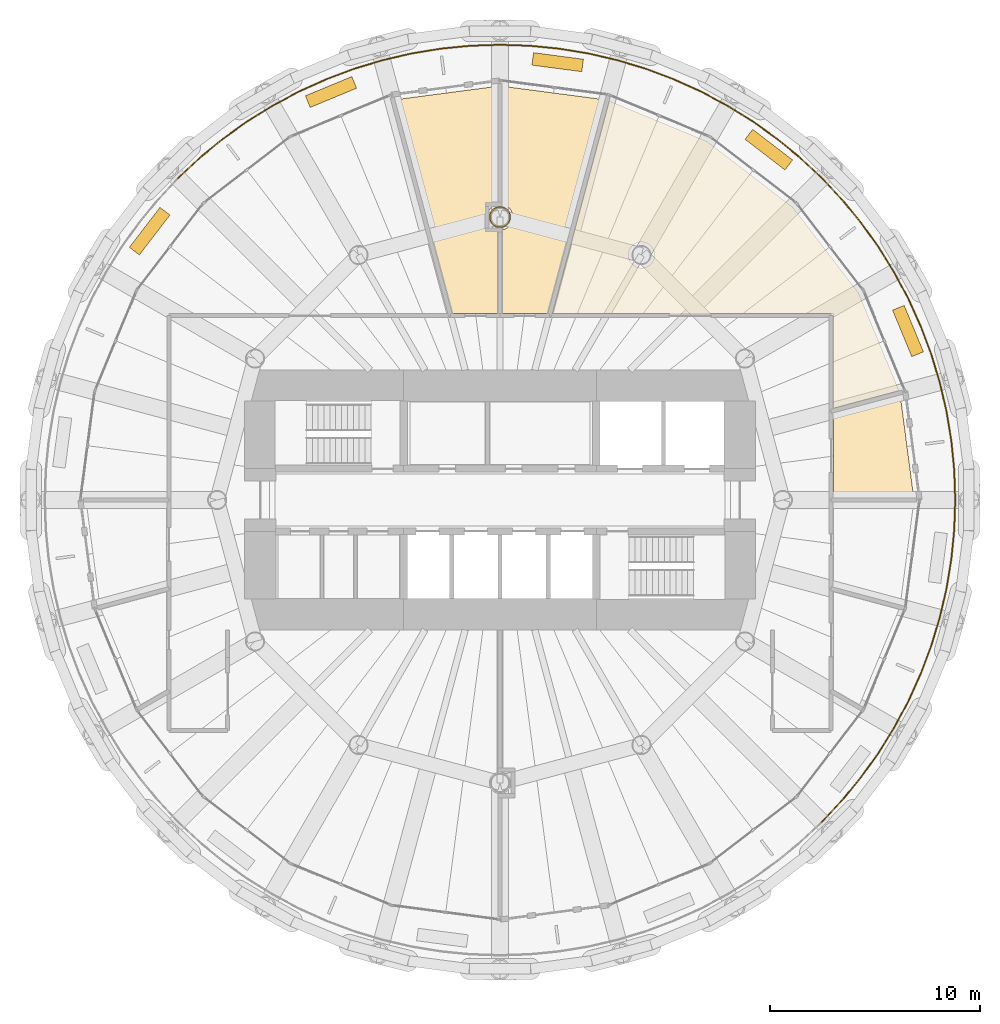
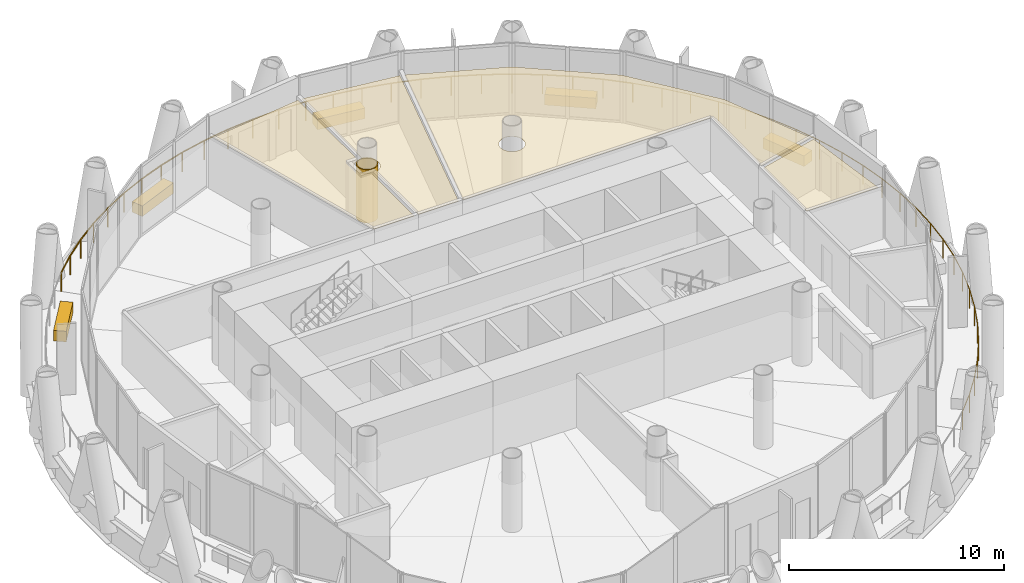
# One storey, part 14 of 14: 10 coverings, 2 railings.
"""IFC4 building model written with IfcOpenShell, lengths in metres."""

import ifcopenshell
import ifcopenshell.guid

model = None  # the IFC model being written
_history = None  # IfcOwnerHistory: only IFC2X3 demands one
_inside = {}  # id of a spatial element -> (the spatial element, [elements in it])
_under = {}  # id of a project, library or spatial element -> (it, [spatial elements below it])
_declared = {}  # id of a project -> (the project, [libraries it declares])
_typed = {}  # id of a type object -> (the type object, [elements of that type])
_made_of = {}  # id of a material, layer set ... -> (it, [elements and type objects made of it])


def new_model(schema):
    """Start an empty IFC model of exactly this schema.

    Asked for "IFC4X3", IfcOpenShell would pick the latest addendum, in which some entities
    have other attributes; the version numbers below select the first issue.
    IFC2X3 requires an IfcOwnerHistory on every rooted entity: one is made here for all.
    """
    global model, _history
    if schema == "IFC4X3":
        model = ifcopenshell.file(schema_version=(4, 3, 0, 0))
    else:
        model = ifcopenshell.file(schema=schema)
    _inside.clear()
    _under.clear()
    _declared.clear()
    _typed.clear()
    _made_of.clear()
    _history = None
    if model.schema == "IFC2X3":
        org = make("IfcOrganization", Name="unknown")
        user = make(
            "IfcPersonAndOrganization",
            ThePerson=make("IfcPerson", FamilyName="unknown"),
            TheOrganization=org,
        )
        app = make(
            "IfcApplication",
            ApplicationDeveloper=org,
            Version="unknown",
            ApplicationFullName="unknown",
            ApplicationIdentifier="unknown",
        )
        _history = make(
            "IfcOwnerHistory",
            OwningUser=user,
            OwningApplication=app,
            ChangeAction="ADDED",
            CreationDate=0,
        )
    return model


def make(cls, **values):
    """One entity of the class cls with the attributes given. An attribute that is None is left unset."""
    return model.create_entity(
        cls, **{name: value for name, value in values.items() if value is not None}
    )


def rooted(cls, **values):
    """An entity with a GlobalId (a new one), such as an element, a storey or a relation."""
    return make(cls, GlobalId=ifcopenshell.guid.new(), OwnerHistory=_history, **values)


def si_unit(unit_type, name, prefix=None):
    """IfcSIUnit, for example si_unit("LENGTHUNIT", "METRE", prefix="MILLI")."""
    return make("IfcSIUnit", UnitType=unit_type, Prefix=prefix, Name=name)


def assignment(units):
    """IfcUnitAssignment: the units of a project."""
    return None if units is None else make("IfcUnitAssignment", Units=units)


def point(xyz):
    """IfcCartesianPoint."""
    return None if xyz is None else make("IfcCartesianPoint", Coordinates=xyz)


def direction(xyz):
    """IfcDirection."""
    return None if xyz is None else make("IfcDirection", DirectionRatios=xyz)


def frame(location, z_axis=None, x_axis=None):
    """IfcAxis2Placement3D, a coordinate frame: its origin and axes. An axis left out is left unset."""
    return make(
        "IfcAxis2Placement3D",
        Location=point(location),
        Axis=direction(z_axis),
        RefDirection=direction(x_axis),
    )


def frame_2d(location, x_axis=None):
    """IfcAxis2Placement2D, a coordinate frame in the plane: its origin and x axis."""
    return make(
        "IfcAxis2Placement2D", Location=point(location), RefDirection=direction(x_axis)
    )


def origin():
    """The frame at (0, 0, 0) with its axes left unset."""
    return frame((0.0, 0.0, 0.0))


def origin_2d():
    """The frame at (0, 0) in the plane with its x axis left unset."""
    return frame_2d((0.0, 0.0))


def place(relative_to, where):
    """IfcLocalPlacement: puts the frame where relative to a parent placement (None: the world)."""
    return make(
        "IfcLocalPlacement", PlacementRelTo=relative_to, RelativePlacement=where
    )


def context(
    kind, dimensions, precision=None, world=None, true_north=None, identifier=None
):
    """IfcGeometricRepresentationContext, for example the 3D "Model" context."""
    return make(
        "IfcGeometricRepresentationContext",
        ContextIdentifier=identifier,
        ContextType=kind,
        CoordinateSpaceDimension=dimensions,
        Precision=precision,
        WorldCoordinateSystem=world,
        TrueNorth=true_north,
    )


def subcontext(parent, identifier, kind, view, scale=None):
    """IfcGeometricRepresentationSubContext, for example "Body" below "Model"."""
    return make(
        "IfcGeometricRepresentationSubContext",
        ContextIdentifier=identifier,
        ContextType=kind,
        ParentContext=parent,
        TargetScale=scale,
        TargetView=view,
    )


def project(units=None, contexts=None):
    """IfcProject with its units and contexts."""
    return rooted(
        "IfcProject",
        Name="project",
        RepresentationContexts=contexts,
        UnitsInContext=assignment(units),
    )


def spatial(cls, under=None, at=None, **own):
    """A site, building, storey or space (cls), placed at a placement, below another one or the project."""
    s = rooted(cls, ObjectPlacement=at, **own)
    if under is not None:
        _under.setdefault(under.id(), (under, []))[1].append(s)
    return s


def polyline(points):
    """IfcPolyline through the points."""
    return make("IfcPolyline", Points=[point(p) for p in points])


def profile(cls, at=None, kind="AREA", **sizes):
    """A parametric profile (cls). Its sizes go by their IFC names, for example OverallWidth=200.0."""
    return make(cls, ProfileType=kind, Position=at, **sizes)


def rectangle(**sizes):
    """IfcRectangleProfileDef."""
    return profile("IfcRectangleProfileDef", **sizes)


def circle(**sizes):
    """IfcCircleProfileDef."""
    return profile("IfcCircleProfileDef", **sizes)


def outline(outer, holes=None, kind="AREA"):
    """IfcArbitraryClosedProfileDef: a profile drawn as a closed curve; with holes, ...WithVoids."""
    if holes is None:
        return make("IfcArbitraryClosedProfileDef", ProfileType=kind, OuterCurve=outer)
    return make(
        "IfcArbitraryProfileDefWithVoids",
        ProfileType=kind,
        OuterCurve=outer,
        InnerCurves=holes,
    )


def extrude(swept, where, along, depth):
    """IfcExtrudedAreaSolid: the profile swept, set in the frame where, extruded along a direction by depth."""
    return make(
        "IfcExtrudedAreaSolid",
        SweptArea=swept,
        Position=where,
        ExtrudedDirection=direction(along),
        Depth=depth,
    )


def shape(context_of_items, identifier, shape_type, items):
    """IfcShapeRepresentation: the items that make up one representation, for example the "Body"."""
    return make(
        "IfcShapeRepresentation",
        ContextOfItems=context_of_items,
        RepresentationIdentifier=identifier,
        RepresentationType=shape_type,
        Items=items,
    )


def material(Name=None, Category=None):
    """IfcMaterial."""
    return make("IfcMaterial", Name=Name, Category=Category)


def layer(
    of_material, thickness, ventilated=None, Name=None, Category=None, Priority=None
):
    """IfcMaterialLayer: one layer of a wall or slab, of a material (None: an air gap)."""
    return make(
        "IfcMaterialLayer",
        Material=of_material,
        LayerThickness=thickness,
        IsVentilated=ventilated,
        Name=Name,
        Category=Category,
        Priority=Priority,
    )


def layer_set(layers, Name=None):
    """IfcMaterialLayerSet."""
    return make("IfcMaterialLayerSet", MaterialLayers=layers, LayerSetName=Name)


def made_of(thing, what):
    """Note that an element or type object is made of a material, layer set ...; save() writes the relation."""
    if what is not None:
        _made_of.setdefault(what.id(), (what, []))[1].append(thing)
    return thing


def type_object(cls, material=None, **own):
    """A type object (cls), such as IfcWallType, which elements share."""
    return made_of(rooted(cls, **own), material)


def element(
    cls,
    number,
    at=None,
    inside=None,
    cuts=None,
    type_object=None,
    material=None,
    context=None,
    identifier="Body",
    shape_type=None,
    held_by="IfcProductDefinitionShape",
    body=None,
    shapes=None,
    **own,
):
    """One element of the class cls, such as IfcWall. Its Tag is "e" and its number.

    at: its placement. inside: the storey or other place that contains it. cuts: it is an
    opening in that element (IfcRelVoidsElement). A single representation is given by context,
    identifier, shape_type and body (its items); several are given by shapes. held_by: the class
    of the entity that holds the representations. save() writes the other relations.
    """
    e = rooted(cls, Tag="e%d" % number, ObjectPlacement=at, **own)
    if body is not None:
        shapes = [shape(context, identifier, shape_type, body)]
    if shapes is not None:
        e.Representation = make(held_by, Representations=shapes)
    if inside is not None:
        _inside.setdefault(inside.id(), (inside, []))[1].append(e)
    if cuts is not None:
        rooted(
            "IfcRelVoidsElement", RelatingBuildingElement=cuts, RelatedOpeningElement=e
        )
    if type_object is not None:
        _typed.setdefault(type_object.id(), (type_object, []))[1].append(e)
    return made_of(e, material)


def aggregate(whole, parts):
    """IfcRelAggregates: a whole, such as a stair, and the parts it consists of."""
    return rooted("IfcRelAggregates", RelatingObject=whole, RelatedObjects=parts)


def save(model, path):
    """Write the relations noted so far, then the file.

    IfcRelAggregates (storeys below a building ...), IfcRelContainedInSpatialStructure (elements
    in a storey), IfcRelDefinesByType, IfcRelAssociatesMaterial and IfcRelDeclares: one each for
    every whole, place, type object, material and project.
    """
    for whole, parts in _under.values():
        aggregate(whole, parts)
    for where, things in _inside.values():
        rooted(
            "IfcRelContainedInSpatialStructure",
            RelatedElements=things,
            RelatingStructure=where,
        )
    for kind, things in _typed.values():
        rooted("IfcRelDefinesByType", RelatedObjects=things, RelatingType=kind)
    for what, things in _made_of.values():
        rooted("IfcRelAssociatesMaterial", RelatedObjects=things, RelatingMaterial=what)
    for by, libraries in _declared.values():
        rooted("IfcRelDeclares", RelatingContext=by, RelatedDefinitions=libraries)
    model.write(path)


model = new_model("IFC4")

# Units and contexts
model_context = context("Model", 3, precision=1e-05, world=origin(), true_north=direction((0.0, 1.0)))
body_context = subcontext(model_context, "Body", "Model", "MODEL_VIEW")
ifc_project = project(units=[si_unit("LENGTHUNIT", "METRE"), si_unit("AREAUNIT", "SQUARE_METRE"), si_unit("VOLUMEUNIT", "CUBIC_METRE"), si_unit("PLANEANGLEUNIT", "RADIAN"), si_unit("MASSUNIT", "GRAM", prefix="KILO")], contexts=[model_context])

# Site, building, storey
site_placement = place(None, origin())
site = spatial("IfcSite", under=ifc_project, at=site_placement, CompositionType="ELEMENT")
building_placement = place(site_placement, origin())
building = spatial("IfcBuilding", under=site, at=building_placement, Name="Qaws Media Tower", CompositionType="ELEMENT")
storey_placement = place(building_placement, frame((0.0, 0.0, 240.199951171875)))
storey = spatial("IfcBuildingStorey", under=building, at=storey_placement, Name="L55", CompositionType="ELEMENT", Elevation=240.199951171875)

# Railings
ifc_material_1 = material(Name="Stainless steel and glass guard", Category="steel")
railing_type = type_object("IfcRailingType", Name="Balcony guard 1100", PredefinedType="GUARDRAIL", material=ifc_material_1)
railing_1_placement = place(storey_placement, frame((75.36181640625, 65.36181640625, 0.0)))
element("IfcRailing", 1, at=railing_1_placement, inside=storey, type_object=railing_type, Name="GR1 balcony guard L55-1", PredefinedType="GUARDRAIL", context=body_context, shape_type="SweptSolid", body=[
    extrude(circle(Radius=0.02392578125, at=origin_2d()), frame((0.0, 0.0, 1.076171875), z_axis=(-0.729826320448, 0.683632607459, 0.0), x_axis=(-0.683632607459, -0.729826320448, 0.0)), (0.0, 0.0, 1.0), 1.421630859375),
    extrude(circle(Radius=0.02392578125, at=origin_2d()), frame((-1.03759765625, 0.971923828125, 1.076171875), z_axis=(-0.772999945781, 0.634406087473, 0.0), x_axis=(-0.634406087473, -0.772999945781, 0.0)), (0.0, 0.0, 1.0), 1.421630859375),
    extrude(circle(Radius=0.02392578125, at=origin_2d()), frame((-2.136474609375, 1.873779296875, 1.076171875), z_axis=(-0.81281577236, 0.58252083242, 0.0), x_axis=(-0.58252083242, -0.81281577236, 0.0)), (0.0, 0.0, 1.0), 1.421630859375),
    extrude(circle(Radius=0.02392578125, at=origin_2d()), frame((-3.2919921875, 2.701904296875, 1.076171875), z_axis=(-0.849202073908, 0.528068023715, 0.0), x_axis=(-0.528068023715, -0.849202073908, 0.0)), (0.0, 0.0, 1.0), 1.421630859375),
    extrude(circle(Radius=0.02392578125, at=origin_2d()), frame((-4.499267578125, 3.45263671875, 1.076171875), z_axis=(-0.881939053393, 0.471363454354, 0.0), x_axis=(-0.471363454354, -0.881939053393, 0.0)), (0.0, 0.0, 1.0), 1.421875),
    extrude(circle(Radius=0.02392578125, at=origin_2d()), frame((-5.753173828125, 4.122802734375, 1.076171875), z_axis=(-0.9108774549, 0.412676946479, 0.0), x_axis=(-0.412676946479, -0.9108774549, 0.0)), (0.0, 0.0, 1.0), 1.421630859375),
    extrude(circle(Radius=0.02392578125, at=origin_2d()), frame((-7.048095703125, 4.70947265625, 1.076171875), z_axis=(-0.935919216356, 0.352214736284, 0.0), x_axis=(-0.352214736284, -0.935919216356, 0.0)), (0.0, 0.0, 1.0), 1.421630859375),
    extrude(circle(Radius=0.02392578125, at=origin_2d()), frame((-8.378662109375, 5.210205078125, 1.076171875), z_axis=(-0.956952153131, 0.290245717658, 0.0), x_axis=(-0.290245717658, -0.956952153131, 0.0)), (0.0, 0.0, 1.0), 1.421630859375),
    extrude(circle(Radius=0.02392578125, at=origin_2d()), frame((-9.739013671875, 5.622802734375, 1.076171875), z_axis=(-0.973850075707, 0.227191615264, 0.0), x_axis=(-0.227191615264, -0.973850075707, 0.0)), (0.0, 0.0, 1.0), 1.421630859375),
    extrude(circle(Radius=0.02392578125, at=origin_2d()), frame((-11.12353515625, 5.94580078125, 1.076171875), z_axis=(-0.98665722181, 0.162811322241, 0.0), x_axis=(-0.162811322241, -0.98665722181, 0.0)), (0.0, 0.0, 1.0), 1.421630859375),
    extrude(circle(Radius=0.02392578125, at=origin_2d()), frame((-12.526123046875, 6.17724609375, 1.076171875), z_axis=(-0.995180666632, 0.098058353865, 0.0), x_axis=(-0.098058353865, -0.995180666632, 0.0)), (0.0, 0.0, 1.0), 1.421630859375),
    extrude(circle(Radius=0.02392578125, at=origin_2d()), frame((-13.94091796875, 6.316650390625, 1.076171875), z_axis=(-0.999461928317, 0.03280021105, 0.0), x_axis=(-0.03280021105, -0.999461928317, 0.0)), (0.0, 0.0, 1.0), 1.421630859375),
    extrude(circle(Radius=0.02392578125, at=origin_2d()), frame((-15.36181640625, 6.36328125, 1.076171875), z_axis=(-0.999461928317, -0.03280021105, 0.0), x_axis=(0.03280021105, -0.999461928317, 0.0)), (0.0, 0.0, 1.0), 1.421630859375),
    extrude(circle(Radius=0.02392578125, at=origin_2d()), frame((-16.78271484375, 6.316650390625, 1.076171875), z_axis=(-0.995180666632, -0.098058353865, 0.0), x_axis=(0.098058353865, -0.995180666632, 0.0)), (0.0, 0.0, 1.0), 1.421630859375),
    extrude(circle(Radius=0.02392578125, at=origin_2d()), frame((-18.197509765625, 6.17724609375, 1.076171875), z_axis=(-0.98665722181, -0.162811322241, 0.0), x_axis=(0.162811322241, -0.98665722181, 0.0)), (0.0, 0.0, 1.0), 1.421630859375),
    extrude(circle(Radius=0.02392578125, at=origin_2d()), frame((-19.60009765625, 5.94580078125, 1.076171875), z_axis=(-0.973850075707, -0.227191615264, 0.0), x_axis=(0.227191615264, -0.973850075707, 0.0)), (0.0, 0.0, 1.0), 1.421630859375),
    extrude(circle(Radius=0.02392578125, at=origin_2d()), frame((-20.984619140625, 5.622802734375, 1.076171875), z_axis=(-0.956952153131, -0.290245717658, 0.0), x_axis=(0.290245717658, -0.956952153131, 0.0)), (0.0, 0.0, 1.0), 1.421630859375),
    extrude(circle(Radius=0.02392578125, at=origin_2d()), frame((-22.344970703125, 5.210205078125, 1.076171875), z_axis=(-0.935919216356, -0.352214736284, 0.0), x_axis=(0.352214736284, -0.935919216356, 0.0)), (0.0, 0.0, 1.0), 1.421630859375),
    extrude(circle(Radius=0.02392578125, at=origin_2d()), frame((-23.675537109375, 4.70947265625, 1.076171875), z_axis=(-0.9108774549, -0.412676946479, 0.0), x_axis=(0.412676946479, -0.9108774549, 0.0)), (0.0, 0.0, 1.0), 1.421630859375),
    extrude(circle(Radius=0.02392578125, at=origin_2d()), frame((-24.970458984375, 4.122802734375, 1.076171875), z_axis=(-0.881939053393, -0.471363454354, 0.0), x_axis=(0.471363454354, -0.881939053393, 0.0)), (0.0, 0.0, 1.0), 1.421875),
    extrude(circle(Radius=0.02392578125, at=origin_2d()), frame((-26.224365234375, 3.45263671875, 1.076171875), z_axis=(-0.849202073908, -0.528068023715, 0.0), x_axis=(0.528068023715, -0.849202073908, 0.0)), (0.0, 0.0, 1.0), 1.421630859375),
    extrude(circle(Radius=0.02392578125, at=origin_2d()), frame((-27.431640625, 2.701904296875, 1.076171875), z_axis=(-0.81281577236, -0.58252083242, 0.0), x_axis=(0.58252083242, -0.81281577236, 0.0)), (0.0, 0.0, 1.0), 1.421630859375),
    extrude(circle(Radius=0.02392578125, at=origin_2d()), frame((-28.587158203125, 1.873779296875, 1.076171875), z_axis=(-0.772999945781, -0.634406087473, 0.0), x_axis=(0.634406087473, -0.772999945781, 0.0)), (0.0, 0.0, 1.0), 1.421630859375),
    extrude(circle(Radius=0.02392578125, at=origin_2d()), frame((-29.68603515625, 0.971923828125, 1.076171875), z_axis=(-0.729826320448, -0.683632607459, 0.0), x_axis=(0.683632607459, -0.729826320448, 0.0)), (0.0, 0.0, 1.0), 1.421630859375),
    extrude(circle(Radius=0.02099609375, at=origin_2d()), origin(), (0.0, 0.0, 1.0), 1.052001953125),
    extrude(circle(Radius=0.02099609375, at=origin_2d()), frame((-1.03759765625, 0.971923828125, 0.0)), (0.0, 0.0, 1.0), 1.052001953125),
    extrude(circle(Radius=0.02099609375, at=origin_2d()), frame((-2.136474609375, 1.873779296875, 0.0)), (0.0, 0.0, 1.0), 1.052001953125),
    extrude(circle(Radius=0.02099609375, at=origin_2d()), frame((-3.2919921875, 2.701904296875, 0.0)), (0.0, 0.0, 1.0), 1.052001953125),
    extrude(circle(Radius=0.02099609375, at=origin_2d()), frame((-4.499267578125, 3.45263671875, 0.0)), (0.0, 0.0, 1.0), 1.052001953125),
    extrude(circle(Radius=0.02099609375, at=origin_2d()), frame((-5.753173828125, 4.122802734375, 0.0)), (0.0, 0.0, 1.0), 1.052001953125),
    extrude(circle(Radius=0.02099609375, at=origin_2d()), frame((-7.048095703125, 4.70947265625, 0.0)), (0.0, 0.0, 1.0), 1.052001953125),
    extrude(circle(Radius=0.02099609375, at=origin_2d()), frame((-8.378662109375, 5.210205078125, 0.0)), (0.0, 0.0, 1.0), 1.052001953125),
    extrude(circle(Radius=0.02099609375, at=origin_2d()), frame((-9.739013671875, 5.622802734375, 0.0)), (0.0, 0.0, 1.0), 1.052001953125),
    extrude(circle(Radius=0.02099609375, at=origin_2d()), frame((-11.12353515625, 5.94580078125, 0.0)), (0.0, 0.0, 1.0), 1.052001953125),
    extrude(circle(Radius=0.02099609375, at=origin_2d()), frame((-12.526123046875, 6.17724609375, 0.0)), (0.0, 0.0, 1.0), 1.052001953125),
    extrude(circle(Radius=0.02099609375, at=origin_2d()), frame((-13.94091796875, 6.316650390625, 0.0)), (0.0, 0.0, 1.0), 1.052001953125),
    extrude(circle(Radius=0.02099609375, at=origin_2d()), frame((-15.36181640625, 6.36328125, 0.0)), (0.0, 0.0, 1.0), 1.052001953125),
    extrude(circle(Radius=0.02099609375, at=origin_2d()), frame((-16.78271484375, 6.316650390625, 0.0)), (0.0, 0.0, 1.0), 1.052001953125),
    extrude(circle(Radius=0.02099609375, at=origin_2d()), frame((-18.197509765625, 6.17724609375, 0.0)), (0.0, 0.0, 1.0), 1.052001953125),
    extrude(circle(Radius=0.02099609375, at=origin_2d()), frame((-19.60009765625, 5.94580078125, 0.0)), (0.0, 0.0, 1.0), 1.052001953125),
    extrude(circle(Radius=0.02099609375, at=origin_2d()), frame((-20.984619140625, 5.622802734375, 0.0)), (0.0, 0.0, 1.0), 1.052001953125),
    extrude(circle(Radius=0.02099609375, at=origin_2d()), frame((-22.344970703125, 5.210205078125, 0.0)), (0.0, 0.0, 1.0), 1.052001953125),
    extrude(circle(Radius=0.02099609375, at=origin_2d()), frame((-23.675537109375, 4.70947265625, 0.0)), (0.0, 0.0, 1.0), 1.052001953125),
    extrude(circle(Radius=0.02099609375, at=origin_2d()), frame((-24.970458984375, 4.122802734375, 0.0)), (0.0, 0.0, 1.0), 1.052001953125),
    extrude(circle(Radius=0.02099609375, at=origin_2d()), frame((-26.224365234375, 3.45263671875, 0.0)), (0.0, 0.0, 1.0), 1.052001953125),
    extrude(circle(Radius=0.02099609375, at=origin_2d()), frame((-27.431640625, 2.701904296875, 0.0)), (0.0, 0.0, 1.0), 1.052001953125),
    extrude(circle(Radius=0.02099609375, at=origin_2d()), frame((-28.587158203125, 1.873779296875, 0.0)), (0.0, 0.0, 1.0), 1.052001953125),
    extrude(circle(Radius=0.02099609375, at=origin_2d()), frame((-29.68603515625, 0.971923828125, 0.0)), (0.0, 0.0, 1.0), 1.052001953125),
    extrude(circle(Radius=0.02099609375, at=origin_2d()), frame((-30.7236328125, 0.0, 0.0)), (0.0, 0.0, 1.0), 1.052001953125),
])
railing_2_placement = place(storey_placement, frame((75.36181640625, 34.63818359375, 0.0)))
element("IfcRailing", 2, at=railing_2_placement, inside=storey, type_object=railing_type, Name="GR1 balcony guard L55-4", PredefinedType="GUARDRAIL", context=body_context, shape_type="SweptSolid", body=[
    extrude(circle(Radius=0.02392578125, at=origin_2d()), frame((0.0, 0.0, 1.076171875), z_axis=(0.683632607459, 0.729826320448, 0.0), x_axis=(-0.729826320448, 0.683632607459, 0.0)), (0.0, 0.0, 1.0), 1.421630859375),
    extrude(circle(Radius=0.02392578125, at=origin_2d()), frame((0.971923828125, 1.03759765625, 1.076171875), z_axis=(0.634406087473, 0.772999945781, 0.0), x_axis=(-0.772999945781, 0.634406087473, 0.0)), (0.0, 0.0, 1.0), 1.421630859375),
    extrude(circle(Radius=0.02392578125, at=origin_2d()), frame((1.873779296875, 2.136474609375, 1.076171875), z_axis=(0.58252083242, 0.81281577236, 0.0), x_axis=(-0.81281577236, 0.58252083242, 0.0)), (0.0, 0.0, 1.0), 1.421630859375),
    extrude(circle(Radius=0.02392578125, at=origin_2d()), frame((2.701904296875, 3.2919921875, 1.076171875), z_axis=(0.528068023715, 0.849202073908, 0.0), x_axis=(-0.849202073908, 0.528068023715, 0.0)), (0.0, 0.0, 1.0), 1.421630859375),
    extrude(circle(Radius=0.02392578125, at=origin_2d()), frame((3.45263671875, 4.499267578125, 1.076171875), z_axis=(0.471363454354, 0.881939053393, 0.0), x_axis=(-0.881939053393, 0.471363454354, 0.0)), (0.0, 0.0, 1.0), 1.421875),
    extrude(circle(Radius=0.02392578125, at=origin_2d()), frame((4.122802734375, 5.753173828125, 1.076171875), z_axis=(0.412676946479, 0.9108774549, 0.0), x_axis=(-0.9108774549, 0.412676946479, 0.0)), (0.0, 0.0, 1.0), 1.421630859375),
    extrude(circle(Radius=0.02392578125, at=origin_2d()), frame((4.70947265625, 7.048095703125, 1.076171875), z_axis=(0.352214736284, 0.935919216356, 0.0), x_axis=(-0.935919216356, 0.352214736284, 0.0)), (0.0, 0.0, 1.0), 1.421630859375),
    extrude(circle(Radius=0.02392578125, at=origin_2d()), frame((5.210205078125, 8.378662109375, 1.076171875), z_axis=(0.290245717658, 0.956952153131, 0.0), x_axis=(-0.956952153131, 0.290245717658, 0.0)), (0.0, 0.0, 1.0), 1.421630859375),
    extrude(circle(Radius=0.02392578125, at=origin_2d()), frame((5.622802734375, 9.739013671875, 1.076171875), z_axis=(0.227191615264, 0.973850075707, 0.0), x_axis=(-0.973850075707, 0.227191615264, 0.0)), (0.0, 0.0, 1.0), 1.421630859375),
    extrude(circle(Radius=0.02392578125, at=origin_2d()), frame((5.94580078125, 11.12353515625, 1.076171875), z_axis=(0.162811322241, 0.98665722181, 0.0), x_axis=(-0.98665722181, 0.162811322241, 0.0)), (0.0, 0.0, 1.0), 1.421630859375),
    extrude(circle(Radius=0.02392578125, at=origin_2d()), frame((6.17724609375, 12.526123046875, 1.076171875), z_axis=(0.098058353865, 0.995180666632, 0.0), x_axis=(-0.995180666632, 0.098058353865, 0.0)), (0.0, 0.0, 1.0), 1.421630859375),
    extrude(circle(Radius=0.02392578125, at=origin_2d()), frame((6.316650390625, 13.94091796875, 1.076171875), z_axis=(0.03280021105, 0.999461928317, 0.0), x_axis=(-0.999461928317, 0.03280021105, 0.0)), (0.0, 0.0, 1.0), 1.421630859375),
    extrude(circle(Radius=0.02392578125, at=origin_2d()), frame((6.36328125, 15.36181640625, 1.076171875), z_axis=(-0.03280021105, 0.999461928317, 0.0), x_axis=(-0.999461928317, -0.03280021105, 0.0)), (0.0, 0.0, 1.0), 1.421630859375),
    extrude(circle(Radius=0.02392578125, at=origin_2d()), frame((6.316650390625, 16.78271484375, 1.076171875), z_axis=(-0.098058353865, 0.995180666632, 0.0), x_axis=(-0.995180666632, -0.098058353865, 0.0)), (0.0, 0.0, 1.0), 1.421630859375),
    extrude(circle(Radius=0.02392578125, at=origin_2d()), frame((6.17724609375, 18.197509765625, 1.076171875), z_axis=(-0.162811322241, 0.98665722181, 0.0), x_axis=(-0.98665722181, -0.162811322241, 0.0)), (0.0, 0.0, 1.0), 1.421630859375),
    extrude(circle(Radius=0.02392578125, at=origin_2d()), frame((5.94580078125, 19.60009765625, 1.076171875), z_axis=(-0.227191615264, 0.973850075707, 0.0), x_axis=(-0.973850075707, -0.227191615264, 0.0)), (0.0, 0.0, 1.0), 1.421630859375),
    extrude(circle(Radius=0.02392578125, at=origin_2d()), frame((5.622802734375, 20.984619140625, 1.076171875), z_axis=(-0.290245717658, 0.956952153131, 0.0), x_axis=(-0.956952153131, -0.290245717658, 0.0)), (0.0, 0.0, 1.0), 1.421630859375),
    extrude(circle(Radius=0.02392578125, at=origin_2d()), frame((5.210205078125, 22.344970703125, 1.076171875), z_axis=(-0.352214736284, 0.935919216356, 0.0), x_axis=(-0.935919216356, -0.352214736284, 0.0)), (0.0, 0.0, 1.0), 1.421630859375),
    extrude(circle(Radius=0.02392578125, at=origin_2d()), frame((4.70947265625, 23.675537109375, 1.076171875), z_axis=(-0.412676946479, 0.9108774549, 0.0), x_axis=(-0.9108774549, -0.412676946479, 0.0)), (0.0, 0.0, 1.0), 1.421630859375),
    extrude(circle(Radius=0.02392578125, at=origin_2d()), frame((4.122802734375, 24.970458984375, 1.076171875), z_axis=(-0.471363454354, 0.881939053393, 0.0), x_axis=(-0.881939053393, -0.471363454354, 0.0)), (0.0, 0.0, 1.0), 1.421875),
    extrude(circle(Radius=0.02392578125, at=origin_2d()), frame((3.45263671875, 26.224365234375, 1.076171875), z_axis=(-0.528068023715, 0.849202073908, 0.0), x_axis=(-0.849202073908, -0.528068023715, 0.0)), (0.0, 0.0, 1.0), 1.421630859375),
    extrude(circle(Radius=0.02392578125, at=origin_2d()), frame((2.701904296875, 27.431640625, 1.076171875), z_axis=(-0.58252083242, 0.81281577236, 0.0), x_axis=(-0.81281577236, -0.58252083242, 0.0)), (0.0, 0.0, 1.0), 1.421630859375),
    extrude(circle(Radius=0.02392578125, at=origin_2d()), frame((1.873779296875, 28.587158203125, 1.076171875), z_axis=(-0.634406087473, 0.772999945781, 0.0), x_axis=(-0.772999945781, -0.634406087473, 0.0)), (0.0, 0.0, 1.0), 1.421630859375),
    extrude(circle(Radius=0.02392578125, at=origin_2d()), frame((0.971923828125, 29.68603515625, 1.076171875), z_axis=(-0.683632607459, 0.729826320448, 0.0), x_axis=(-0.729826320448, -0.683632607459, 0.0)), (0.0, 0.0, 1.0), 1.421630859375),
    extrude(circle(Radius=0.02099609375, at=origin_2d()), origin(), (0.0, 0.0, 1.0), 1.052001953125),
    extrude(circle(Radius=0.02099609375, at=origin_2d()), frame((0.971923828125, 1.03759765625, 0.0)), (0.0, 0.0, 1.0), 1.052001953125),
    extrude(circle(Radius=0.02099609375, at=origin_2d()), frame((1.873779296875, 2.136474609375, 0.0)), (0.0, 0.0, 1.0), 1.052001953125),
    extrude(circle(Radius=0.02099609375, at=origin_2d()), frame((2.701904296875, 3.2919921875, 0.0)), (0.0, 0.0, 1.0), 1.052001953125),
    extrude(circle(Radius=0.02099609375, at=origin_2d()), frame((3.45263671875, 4.499267578125, 0.0)), (0.0, 0.0, 1.0), 1.052001953125),
    extrude(circle(Radius=0.02099609375, at=origin_2d()), frame((4.122802734375, 5.753173828125, 0.0)), (0.0, 0.0, 1.0), 1.052001953125),
    extrude(circle(Radius=0.02099609375, at=origin_2d()), frame((4.70947265625, 7.048095703125, 0.0)), (0.0, 0.0, 1.0), 1.052001953125),
    extrude(circle(Radius=0.02099609375, at=origin_2d()), frame((5.210205078125, 8.378662109375, 0.0)), (0.0, 0.0, 1.0), 1.052001953125),
    extrude(circle(Radius=0.02099609375, at=origin_2d()), frame((5.622802734375, 9.739013671875, 0.0)), (0.0, 0.0, 1.0), 1.052001953125),
    extrude(circle(Radius=0.02099609375, at=origin_2d()), frame((5.94580078125, 11.12353515625, 0.0)), (0.0, 0.0, 1.0), 1.052001953125),
    extrude(circle(Radius=0.02099609375, at=origin_2d()), frame((6.17724609375, 12.526123046875, 0.0)), (0.0, 0.0, 1.0), 1.052001953125),
    extrude(circle(Radius=0.02099609375, at=origin_2d()), frame((6.316650390625, 13.94091796875, 0.0)), (0.0, 0.0, 1.0), 1.052001953125),
    extrude(circle(Radius=0.02099609375, at=origin_2d()), frame((6.36328125, 15.36181640625, 0.0)), (0.0, 0.0, 1.0), 1.052001953125),
    extrude(circle(Radius=0.02099609375, at=origin_2d()), frame((6.316650390625, 16.78271484375, 0.0)), (0.0, 0.0, 1.0), 1.052001953125),
    extrude(circle(Radius=0.02099609375, at=origin_2d()), frame((6.17724609375, 18.197509765625, 0.0)), (0.0, 0.0, 1.0), 1.052001953125),
    extrude(circle(Radius=0.02099609375, at=origin_2d()), frame((5.94580078125, 19.60009765625, 0.0)), (0.0, 0.0, 1.0), 1.052001953125),
    extrude(circle(Radius=0.02099609375, at=origin_2d()), frame((5.622802734375, 20.984619140625, 0.0)), (0.0, 0.0, 1.0), 1.052001953125),
    extrude(circle(Radius=0.02099609375, at=origin_2d()), frame((5.210205078125, 22.344970703125, 0.0)), (0.0, 0.0, 1.0), 1.052001953125),
    extrude(circle(Radius=0.02099609375, at=origin_2d()), frame((4.70947265625, 23.675537109375, 0.0)), (0.0, 0.0, 1.0), 1.052001953125),
    extrude(circle(Radius=0.02099609375, at=origin_2d()), frame((4.122802734375, 24.970458984375, 0.0)), (0.0, 0.0, 1.0), 1.052001953125),
    extrude(circle(Radius=0.02099609375, at=origin_2d()), frame((3.45263671875, 26.224365234375, 0.0)), (0.0, 0.0, 1.0), 1.052001953125),
    extrude(circle(Radius=0.02099609375, at=origin_2d()), frame((2.701904296875, 27.431640625, 0.0)), (0.0, 0.0, 1.0), 1.052001953125),
    extrude(circle(Radius=0.02099609375, at=origin_2d()), frame((1.873779296875, 28.587158203125, 0.0)), (0.0, 0.0, 1.0), 1.052001953125),
    extrude(circle(Radius=0.02099609375, at=origin_2d()), frame((0.971923828125, 29.68603515625, 0.0)), (0.0, 0.0, 1.0), 1.052001953125),
    extrude(circle(Radius=0.02099609375, at=origin_2d()), frame((0.0, 30.7236328125, 0.0)), (0.0, 0.0, 1.0), 1.052001953125),
])

# Coverings
ifc_material_2 = material(Name="Two layers 15 fire-rated gypsum board on steel framing", Category="steel")
ifc_layer_1 = layer(ifc_material_2, 0.050048828125)
ifc_layer_set_1 = layer_set([ifc_layer_1], Name="Column fire casing")
covering_type_1 = type_object("IfcCoveringType", Name="Column fire casing", PredefinedType="CLADDING", material=ifc_layer_set_1)
covering_1_placement = place(storey_placement, origin())
element("IfcCovering", 3, at=covering_1_placement, inside=storey, type_object=covering_type_1, Name="CC1 column casing L55", PredefinedType="CLADDING", context=body_context, shape_type="SweptSolid", body=[
    extrude(outline(polyline([(60.511962890625, 63.5), (60.507568359375, 63.43310546875), (60.49462890625, 63.367431640625), (60.472900390625, 63.30419921875), (60.443359375, 63.243896484375), (60.40625, 63.188232421875), (60.362060546875, 63.137939453125), (60.311767578125, 63.09375), (60.256103515625, 63.056640625), (60.19580078125, 63.027099609375), (60.132568359375, 63.00537109375), (60.06689453125, 62.992431640625), (60.0, 62.988037109375), (59.93310546875, 62.992431640625), (59.867431640625, 63.00537109375), (59.80419921875, 63.027099609375), (59.743896484375, 63.056640625), (59.688232421875, 63.09375), (59.637939453125, 63.137939453125), (59.59375, 63.188232421875), (59.556640625, 63.243896484375), (59.527099609375, 63.30419921875), (59.50537109375, 63.367431640625), (59.492431640625, 63.43310546875), (59.488037109375, 63.5), (59.492431640625, 63.56689453125), (59.50537109375, 63.632568359375), (59.527099609375, 63.69580078125), (59.556640625, 63.756103515625), (59.59375, 63.811767578125), (59.637939453125, 63.862060546875), (59.688232421875, 63.90625), (59.743896484375, 63.943359375), (59.80419921875, 63.972900390625), (59.867431640625, 63.99462890625), (59.93310546875, 64.007568359375), (60.0, 64.011962890625), (60.06689453125, 64.007568359375), (60.132568359375, 63.99462890625), (60.19580078125, 63.972900390625), (60.256103515625, 63.943359375), (60.311767578125, 63.90625), (60.362060546875, 63.862060546875), (60.40625, 63.811767578125), (60.443359375, 63.756103515625), (60.472900390625, 63.69580078125), (60.49462890625, 63.632568359375), (60.507568359375, 63.56689453125), (60.511962890625, 63.5)]), holes=[polyline([(60.4599609375, 63.5), (60.4560546875, 63.43994140625), (60.4443359375, 63.380859375), (60.425048828125, 63.323974609375), (60.3984375, 63.27001953125), (60.364990234375, 63.219970703125), (60.3251953125, 63.1748046875), (60.280029296875, 63.135009765625), (60.22998046875, 63.1015625), (60.176025390625, 63.074951171875), (60.119140625, 63.0556640625), (60.06005859375, 63.0439453125), (60.0, 63.0400390625), (59.93994140625, 63.0439453125), (59.880859375, 63.0556640625), (59.823974609375, 63.074951171875), (59.77001953125, 63.1015625), (59.719970703125, 63.135009765625), (59.6748046875, 63.1748046875), (59.635009765625, 63.219970703125), (59.6015625, 63.27001953125), (59.574951171875, 63.323974609375), (59.5556640625, 63.380859375), (59.5439453125, 63.43994140625), (59.5400390625, 63.5), (59.5439453125, 63.56005859375), (59.5556640625, 63.619140625), (59.574951171875, 63.676025390625), (59.6015625, 63.72998046875), (59.635009765625, 63.780029296875), (59.6748046875, 63.8251953125), (59.719970703125, 63.864990234375), (59.77001953125, 63.8984375), (59.823974609375, 63.925048828125), (59.880859375, 63.9443359375), (59.93994140625, 63.9560546875), (60.0, 63.9599609375), (60.06005859375, 63.9560546875), (60.119140625, 63.9443359375), (60.176025390625, 63.925048828125), (60.22998046875, 63.8984375), (60.280029296875, 63.864990234375), (60.3251953125, 63.8251953125), (60.364990234375, 63.780029296875), (60.3984375, 63.72998046875), (60.425048828125, 63.676025390625), (60.4443359375, 63.619140625), (60.4560546875, 63.56005859375), (60.4599609375, 63.5)])]), origin(), (0.0, 0.0, 1.0), 3.02001953125),
])
ifc_material_3 = material(Name="600 x 600 mineral fibre tiles in exposed grid, suspended", Category="mineral fibre")
ifc_layer_2 = layer(ifc_material_3, 0.02001953125)
ifc_layer_set_2 = layer_set([ifc_layer_2], Name="Mineral fibre tile ceiling 20")
covering_type_2 = type_object("IfcCoveringType", Name="Mineral fibre tile ceiling 20", PredefinedType="CEILING", material=ifc_layer_set_2)
covering_2_placement = place(storey_placement, frame((0.0, 0.0, 2.85009765625)))
element("IfcCovering", 4, at=covering_2_placement, inside=storey, type_object=covering_type_2, Name="CL1 ceiling L55-03 Tenant office", PredefinedType="CEILING", context=body_context, shape_type="SweptSolid", body=[
    extrude(outline(polyline([(69.880126953125, 67.11279296875), (73.97265625, 63.97265625), (77.11279296875, 59.880126953125), (79.04345703125, 55.21923828125), (75.91259765625, 54.380126953125), (75.91259765625, 58.91259765625), (62.504638671875, 58.91259765625), (65.21923828125, 69.04345703125), (69.880126953125, 67.11279296875)]), holes=[polyline([(67.320068359375, 61.455078125), (67.345947265625, 61.53173828125), (67.36181640625, 61.61083984375), (67.366943359375, 61.69140625), (67.36181640625, 61.77197265625), (67.345947265625, 61.85107421875), (67.320068359375, 61.927490234375), (67.2841796875, 61.999755859375), (67.239501953125, 62.06689453125), (67.186279296875, 62.127685546875), (67.12548828125, 62.180908203125), (67.05859375, 62.2255859375), (66.986083984375, 62.261474609375), (66.90966796875, 62.287353515625), (66.83056640625, 62.302978515625), (66.75, 62.308349609375), (66.66943359375, 62.302978515625), (66.59033203125, 62.287353515625), (66.513916015625, 62.261474609375), (66.44140625, 62.2255859375), (66.37451171875, 62.180908203125), (66.313720703125, 62.127685546875), (66.260498046875, 62.06689453125), (66.2158203125, 61.999755859375), (66.179931640625, 61.927490234375), (66.154052734375, 61.85107421875), (66.13818359375, 61.77197265625), (66.133056640625, 61.69140625), (66.13818359375, 61.61083984375), (66.154052734375, 61.53173828125), (66.179931640625, 61.455078125), (66.2158203125, 61.3828125), (66.260498046875, 61.315673828125), (66.313720703125, 61.255126953125), (66.37451171875, 61.201904296875), (66.44140625, 61.156982421875), (66.513916015625, 61.121337890625), (66.59033203125, 61.095458984375), (66.66943359375, 61.07958984375), (66.75, 61.07421875), (66.83056640625, 61.07958984375), (66.90966796875, 61.095458984375), (66.986083984375, 61.121337890625), (67.05859375, 61.156982421875), (67.12548828125, 61.201904296875), (67.186279296875, 61.255126953125), (67.239501953125, 61.315673828125), (67.2841796875, 61.3828125), (67.320068359375, 61.455078125)])]), origin(), (0.0, 0.0, 1.0), 0.02001953125),
])
ifc_material_4 = material(Name="Precast concrete planter with trailing planting", Category="concrete")
ifc_layer_3 = layer(ifc_material_4, 0.60009765625)
ifc_layer_set_3 = layer_set([ifc_layer_3], Name="Planter 2400x600")
covering_type_3 = type_object("IfcCoveringType", Name="Planter 2400x600", PredefinedType="USERDEFINED", material=ifc_layer_set_3)
for number, where, z_axis, x_axis, name in (
    (5, (79.470703125, 58.06494140625, 0.0), (0.0, 0.0, 1.0), (-0.382683432365, 0.923879532511, 0.0), "PL1 balcony planter L55-01"),
    (6, (72.82958984375, 66.719970703125, 0.0), (0.0, 0.0, 1.0), (-0.793353340291, 0.608761429009, 0.0), "PL1 balcony planter L55-02"),
    (7, (62.750732421875, 70.894775390625, 0.0), (0.0, 0.0, 1.0), (-0.991444861374, 0.13052619222, 0.0), "PL1 balcony planter L55-03"),
    (8, (51.93505859375, 69.470703125, 0.0), (0.0, 0.0, 1.0), (-0.923879532511, -0.382683432365, 0.0), "PL1 balcony planter L55-04"),
    (9, (43.280029296875, 62.82958984375, 0.0), (0.0, 0.0, 1.0), (-0.608761429009, -0.793353340291, 0.0), "PL1 balcony planter L55-05"),
):
    element("IfcCovering", number, at=place(storey_placement, frame(where, z_axis=z_axis, x_axis=x_axis)), inside=storey, type_object=covering_type_3, Name=name, ObjectType="PLANTER", PredefinedType="USERDEFINED", context=body_context, shape_type="SweptSolid", body=[
        extrude(rectangle(XDim=2.39990234375, YDim=0.60009765625, at=origin_2d()), origin(), (0.0, 0.0, 1.0), 0.60009765625),
    ])
ifc_material_5 = material(Name="Two layers 12.5 moisture-resistant plasterboard on suspended metal furring", Category="gypsum")
ifc_layer_4 = layer(ifc_material_5, 0.02490234375)
ifc_layer_set_4 = layer_set([ifc_layer_4], Name="Plasterboard ceiling 25")
covering_type_4 = type_object("IfcCoveringType", Name="Plasterboard ceiling 25", PredefinedType="CEILING", material=ifc_layer_set_4)
covering_3_placement = place(storey_placement, frame((0.0, 0.0, 2.85009765625)))
element("IfcCovering", 10, at=covering_3_placement, inside=storey, type_object=covering_type_4, Name="CL2 ceiling L55-02 Tenant reception", PredefinedType="CEILING", context=body_context, shape_type="SweptSolid", body=[
    extrude(outline(polyline([(79.745361328125, 50.112548828125), (75.91259765625, 50.112548828125), (75.91259765625, 54.147216796875), (79.101806640625, 55.001708984375), (79.745361328125, 50.112548828125)])), origin(), (0.0, 0.0, 1.0), 0.02490234375),
])
covering_4_placement = place(storey_placement, frame((0.0, 0.0, 2.85009765625)))
element("IfcCovering", 11, at=covering_4_placement, inside=storey, type_object=covering_type_4, Name="CL2 ceiling L55-04 Tenant pantry", PredefinedType="CEILING", context=body_context, shape_type="SweptSolid", body=[
    extrude(outline(polyline([(65.001708984375, 69.101806640625), (62.271484375, 58.91259765625), (60.112548828125, 58.91259765625), (60.112548828125, 62.89453125), (60.15966796875, 62.904052734375), (60.236083984375, 62.929931640625), (60.30859375, 62.9658203125), (60.37548828125, 63.010498046875), (60.436279296875, 63.063720703125), (60.489501953125, 63.12451171875), (60.5341796875, 63.19140625), (60.570068359375, 63.263916015625), (60.595947265625, 63.34033203125), (60.61181640625, 63.41943359375), (60.616943359375, 63.5), (60.61181640625, 63.58056640625), (60.595947265625, 63.65966796875), (60.570068359375, 63.736083984375), (60.5341796875, 63.80859375), (60.489501953125, 63.87548828125), (60.436279296875, 63.936279296875), (60.37548828125, 63.989501953125), (60.30859375, 64.0341796875), (60.236083984375, 64.070068359375), (60.15966796875, 64.095947265625), (60.112548828125, 64.10546875), (60.112548828125, 69.745361328125), (65.001708984375, 69.101806640625)])), origin(), (0.0, 0.0, 1.0), 0.02490234375),
])
covering_5_placement = place(storey_placement, frame((0.0, 0.0, 2.85009765625)))
element("IfcCovering", 12, at=covering_5_placement, inside=storey, type_object=covering_type_4, Name="CL2 ceiling L55-05 Tenant reception", PredefinedType="CEILING", context=body_context, shape_type="SweptSolid", body=[
    extrude(outline(polyline([(59.887451171875, 69.745361328125), (59.887451171875, 64.10546875), (59.84033203125, 64.095947265625), (59.763916015625, 64.070068359375), (59.69140625, 64.0341796875), (59.62451171875, 63.989501953125), (59.563720703125, 63.936279296875), (59.510498046875, 63.87548828125), (59.4658203125, 63.80859375), (59.429931640625, 63.736083984375), (59.404052734375, 63.65966796875), (59.38818359375, 63.58056640625), (59.383056640625, 63.5), (59.38818359375, 63.41943359375), (59.404052734375, 63.34033203125), (59.429931640625, 63.263916015625), (59.4658203125, 63.19140625), (59.510498046875, 63.12451171875), (59.563720703125, 63.063720703125), (59.62451171875, 63.010498046875), (59.69140625, 62.9658203125), (59.763916015625, 62.929931640625), (59.84033203125, 62.904052734375), (59.887451171875, 62.89453125), (59.887451171875, 58.91259765625), (57.728515625, 58.91259765625), (54.998291015625, 69.101806640625), (59.887451171875, 69.745361328125)])), origin(), (0.0, 0.0, 1.0), 0.02490234375),
])

save(model, "model.ifc")
